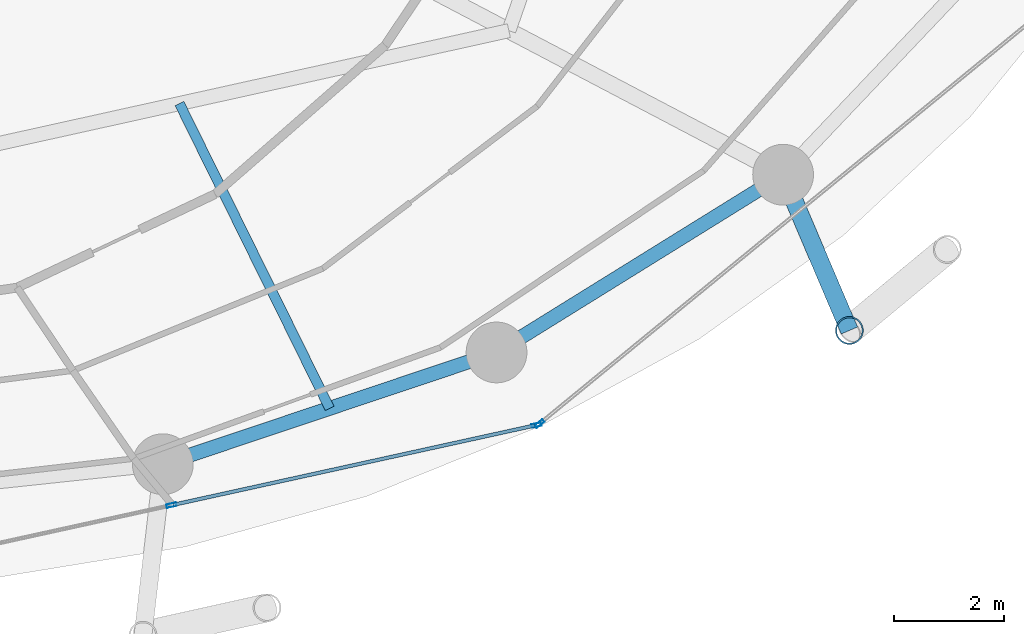
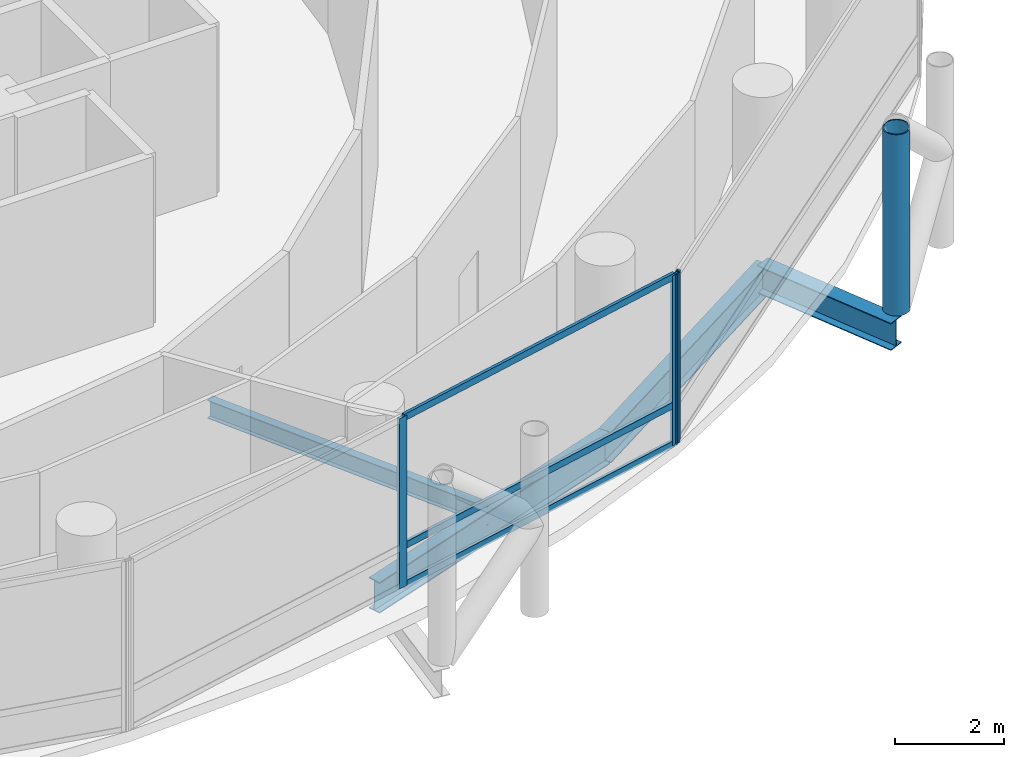
# One storey, part 8 of 26: 7 members, 4 beams, 2 elements without a shape of their own.
"""IFC4 building model written with IfcOpenShell, lengths in metres."""

import ifcopenshell
import ifcopenshell.guid

model = None  # the IFC model being written
_history = None  # IfcOwnerHistory: only IFC2X3 demands one
_inside = {}  # id of a spatial element -> (the spatial element, [elements in it])
_under = {}  # id of a project, library or spatial element -> (it, [spatial elements below it])
_declared = {}  # id of a project -> (the project, [libraries it declares])
_typed = {}  # id of a type object -> (the type object, [elements of that type])
_made_of = {}  # id of a material, layer set ... -> (it, [elements and type objects made of it])


def new_model(schema):
    """Start an empty IFC model of exactly this schema.

    Asked for "IFC4X3", IfcOpenShell would pick the latest addendum, in which some entities
    have other attributes; the version numbers below select the first issue.
    IFC2X3 requires an IfcOwnerHistory on every rooted entity: one is made here for all.
    """
    global model, _history
    if schema == "IFC4X3":
        model = ifcopenshell.file(schema_version=(4, 3, 0, 0))
    else:
        model = ifcopenshell.file(schema=schema)
    _inside.clear()
    _under.clear()
    _declared.clear()
    _typed.clear()
    _made_of.clear()
    _history = None
    if model.schema == "IFC2X3":
        org = make("IfcOrganization", Name="unknown")
        user = make(
            "IfcPersonAndOrganization",
            ThePerson=make("IfcPerson", FamilyName="unknown"),
            TheOrganization=org,
        )
        app = make(
            "IfcApplication",
            ApplicationDeveloper=org,
            Version="unknown",
            ApplicationFullName="unknown",
            ApplicationIdentifier="unknown",
        )
        _history = make(
            "IfcOwnerHistory",
            OwningUser=user,
            OwningApplication=app,
            ChangeAction="ADDED",
            CreationDate=0,
        )
    return model


def make(cls, **values):
    """One entity of the class cls with the attributes given. An attribute that is None is left unset."""
    return model.create_entity(
        cls, **{name: value for name, value in values.items() if value is not None}
    )


def rooted(cls, **values):
    """An entity with a GlobalId (a new one), such as an element, a storey or a relation."""
    return make(cls, GlobalId=ifcopenshell.guid.new(), OwnerHistory=_history, **values)


def si_unit(unit_type, name, prefix=None):
    """IfcSIUnit, for example si_unit("LENGTHUNIT", "METRE", prefix="MILLI")."""
    return make("IfcSIUnit", UnitType=unit_type, Prefix=prefix, Name=name)


def assignment(units):
    """IfcUnitAssignment: the units of a project."""
    return None if units is None else make("IfcUnitAssignment", Units=units)


def point(xyz):
    """IfcCartesianPoint."""
    return None if xyz is None else make("IfcCartesianPoint", Coordinates=xyz)


def direction(xyz):
    """IfcDirection."""
    return None if xyz is None else make("IfcDirection", DirectionRatios=xyz)


def frame(location, z_axis=None, x_axis=None):
    """IfcAxis2Placement3D, a coordinate frame: its origin and axes. An axis left out is left unset."""
    return make(
        "IfcAxis2Placement3D",
        Location=point(location),
        Axis=direction(z_axis),
        RefDirection=direction(x_axis),
    )


def frame_2d(location, x_axis=None):
    """IfcAxis2Placement2D, a coordinate frame in the plane: its origin and x axis."""
    return make(
        "IfcAxis2Placement2D", Location=point(location), RefDirection=direction(x_axis)
    )


def origin():
    """The frame at (0, 0, 0) with its axes left unset."""
    return frame((0.0, 0.0, 0.0))


def origin_2d():
    """The frame at (0, 0) in the plane with its x axis left unset."""
    return frame_2d((0.0, 0.0))


def place(relative_to, where):
    """IfcLocalPlacement: puts the frame where relative to a parent placement (None: the world)."""
    return make(
        "IfcLocalPlacement", PlacementRelTo=relative_to, RelativePlacement=where
    )


def context(
    kind, dimensions, precision=None, world=None, true_north=None, identifier=None
):
    """IfcGeometricRepresentationContext, for example the 3D "Model" context."""
    return make(
        "IfcGeometricRepresentationContext",
        ContextIdentifier=identifier,
        ContextType=kind,
        CoordinateSpaceDimension=dimensions,
        Precision=precision,
        WorldCoordinateSystem=world,
        TrueNorth=true_north,
    )


def subcontext(parent, identifier, kind, view, scale=None):
    """IfcGeometricRepresentationSubContext, for example "Body" below "Model"."""
    return make(
        "IfcGeometricRepresentationSubContext",
        ContextIdentifier=identifier,
        ContextType=kind,
        ParentContext=parent,
        TargetScale=scale,
        TargetView=view,
    )


def project(units=None, contexts=None):
    """IfcProject with its units and contexts."""
    return rooted(
        "IfcProject",
        Name="project",
        RepresentationContexts=contexts,
        UnitsInContext=assignment(units),
    )


def spatial(cls, under=None, at=None, **own):
    """A site, building, storey or space (cls), placed at a placement, below another one or the project."""
    s = rooted(cls, ObjectPlacement=at, **own)
    if under is not None:
        _under.setdefault(under.id(), (under, []))[1].append(s)
    return s


def profile(cls, at=None, kind="AREA", **sizes):
    """A parametric profile (cls). Its sizes go by their IFC names, for example OverallWidth=200.0."""
    return make(cls, ProfileType=kind, Position=at, **sizes)


def hollow_rectangle(**sizes):
    """IfcRectangleHollowProfileDef."""
    return profile("IfcRectangleHollowProfileDef", **sizes)


def hollow_circle(**sizes):
    """IfcCircleHollowProfileDef."""
    return profile("IfcCircleHollowProfileDef", **sizes)


def i_section(**sizes):
    """IfcIShapeProfileDef."""
    return profile("IfcIShapeProfileDef", **sizes)


def extrude(swept, where, along, depth):
    """IfcExtrudedAreaSolid: the profile swept, set in the frame where, extruded along a direction by depth."""
    return make(
        "IfcExtrudedAreaSolid",
        SweptArea=swept,
        Position=where,
        ExtrudedDirection=direction(along),
        Depth=depth,
    )


def shape(context_of_items, identifier, shape_type, items):
    """IfcShapeRepresentation: the items that make up one representation, for example the "Body"."""
    return make(
        "IfcShapeRepresentation",
        ContextOfItems=context_of_items,
        RepresentationIdentifier=identifier,
        RepresentationType=shape_type,
        Items=items,
    )


def material(Name=None, Category=None):
    """IfcMaterial."""
    return make("IfcMaterial", Name=Name, Category=Category)


def layer(
    of_material, thickness, ventilated=None, Name=None, Category=None, Priority=None
):
    """IfcMaterialLayer: one layer of a wall or slab, of a material (None: an air gap)."""
    return make(
        "IfcMaterialLayer",
        Material=of_material,
        LayerThickness=thickness,
        IsVentilated=ventilated,
        Name=Name,
        Category=Category,
        Priority=Priority,
    )


def layer_set(layers, Name=None):
    """IfcMaterialLayerSet."""
    return make("IfcMaterialLayerSet", MaterialLayers=layers, LayerSetName=Name)


def material_profile(
    of_material, cross_section, Name=None, Category=None, Priority=None
):
    """IfcMaterialProfile: a cross section and its material."""
    return make(
        "IfcMaterialProfile",
        Name=Name,
        Material=of_material,
        Profile=cross_section,
        Priority=Priority,
        Category=Category,
    )


def profile_set(profiles, Name=None, composite=None):
    """IfcMaterialProfileSet."""
    return make(
        "IfcMaterialProfileSet",
        Name=Name,
        MaterialProfiles=profiles,
        CompositeProfile=composite,
    )


def made_of(thing, what):
    """Note that an element or type object is made of a material, layer set ...; save() writes the relation."""
    if what is not None:
        _made_of.setdefault(what.id(), (what, []))[1].append(thing)
    return thing


def type_object(cls, material=None, **own):
    """A type object (cls), such as IfcWallType, which elements share."""
    return made_of(rooted(cls, **own), material)


def element(
    cls,
    number,
    at=None,
    inside=None,
    cuts=None,
    type_object=None,
    material=None,
    context=None,
    identifier="Body",
    shape_type=None,
    held_by="IfcProductDefinitionShape",
    body=None,
    shapes=None,
    **own,
):
    """One element of the class cls, such as IfcWall. Its Tag is "e" and its number.

    at: its placement. inside: the storey or other place that contains it. cuts: it is an
    opening in that element (IfcRelVoidsElement). A single representation is given by context,
    identifier, shape_type and body (its items); several are given by shapes. held_by: the class
    of the entity that holds the representations. save() writes the other relations.
    """
    e = rooted(cls, Tag="e%d" % number, ObjectPlacement=at, **own)
    if body is not None:
        shapes = [shape(context, identifier, shape_type, body)]
    if shapes is not None:
        e.Representation = make(held_by, Representations=shapes)
    if inside is not None:
        _inside.setdefault(inside.id(), (inside, []))[1].append(e)
    if cuts is not None:
        rooted(
            "IfcRelVoidsElement", RelatingBuildingElement=cuts, RelatedOpeningElement=e
        )
    if type_object is not None:
        _typed.setdefault(type_object.id(), (type_object, []))[1].append(e)
    return made_of(e, material)


def aggregate(whole, parts):
    """IfcRelAggregates: a whole, such as a stair, and the parts it consists of."""
    return rooted("IfcRelAggregates", RelatingObject=whole, RelatedObjects=parts)


def save(model, path):
    """Write the relations noted so far, then the file.

    IfcRelAggregates (storeys below a building ...), IfcRelContainedInSpatialStructure (elements
    in a storey), IfcRelDefinesByType, IfcRelAssociatesMaterial and IfcRelDeclares: one each for
    every whole, place, type object, material and project.
    """
    for whole, parts in _under.values():
        aggregate(whole, parts)
    for where, things in _inside.values():
        rooted(
            "IfcRelContainedInSpatialStructure",
            RelatedElements=things,
            RelatingStructure=where,
        )
    for kind, things in _typed.values():
        rooted("IfcRelDefinesByType", RelatedObjects=things, RelatingType=kind)
    for what, things in _made_of.values():
        rooted("IfcRelAssociatesMaterial", RelatedObjects=things, RelatingMaterial=what)
    for by, libraries in _declared.values():
        rooted("IfcRelDeclares", RelatingContext=by, RelatedDefinitions=libraries)
    model.write(path)


model = new_model("IFC4")

# Units and contexts
model_context = context("Model", 3, precision=1e-05, world=origin(), true_north=direction((0.0, 1.0)))
body_context = subcontext(model_context, "Body", "Model", "MODEL_VIEW")
ifc_project = project(units=[si_unit("LENGTHUNIT", "METRE"), si_unit("AREAUNIT", "SQUARE_METRE"), si_unit("VOLUMEUNIT", "CUBIC_METRE"), si_unit("PLANEANGLEUNIT", "RADIAN"), si_unit("MASSUNIT", "GRAM", prefix="KILO")], contexts=[model_context])

# Site, building, storey
site_placement = place(None, origin())
site = spatial("IfcSite", under=ifc_project, at=site_placement, CompositionType="ELEMENT")
building_placement = place(site_placement, origin())
building = spatial("IfcBuilding", under=site, at=building_placement, Name="Nuhasar Tower", CompositionType="ELEMENT")
storey_placement = place(building_placement, frame((0.0, 0.0, 93.89990234375)))
storey = spatial("IfcBuildingStorey", under=building, at=storey_placement, Name="L22", CompositionType="ELEMENT", Elevation=93.89990234375)

# Beams
ifc_material_1 = material(Name="Steel S355", Category="steel")
ifc_material_profile_1 = material_profile(ifc_material_1, i_section(OverallWidth=0.177978515625, OverallDepth=0.406005859375, WebThickness=0.0078125, FlangeThickness=0.0126953125, at=origin_2d()), Name="W16X40")
ifc_profile_set_1 = profile_set([ifc_material_profile_1], Name="Steel S355")
beam_type_1 = type_object("IfcBeamType", Name="BM-JST-W16X40", PredefinedType="JOIST", material=ifc_profile_set_1)
beam_1_placement = place(storey_placement, frame((45.783935546875, 13.77001953125, -0.452880859375), z_axis=(0.442126747458, -0.89695258469, 0.0), x_axis=(0.89695258469, 0.442126747458, 0.0)))
element("IfcBeam", 1, at=beam_1_placement, inside=storey, type_object=beam_type_1, Name="L22 Secondary Floor Joist 02", PredefinedType="JOIST", context=body_context, shape_type="SweptSolid", body=[
    extrude(i_section(OverallWidth=0.177978515625, OverallDepth=0.406005859375, WebThickness=0.0078125, FlangeThickness=0.0126953125, at=origin_2d()), origin(), (0.0, 0.0, 1.0), 6.152099609375),
])
ifc_material_profile_2 = material_profile(ifc_material_1, i_section(OverallWidth=0.256103515625, OverallDepth=0.693115234375, WebThickness=0.014404296875, FlangeThickness=0.023681640625, at=origin_2d()), Name="W27X114")
ifc_profile_set_2 = profile_set([ifc_material_profile_2], Name="Steel S355")
beam_type_2 = type_object("IfcBeamType", Name="BM-RING-W27X114", PredefinedType="SPANDREL", material=ifc_profile_set_2)
beam_2_placement = place(storey_placement, frame((45.48291015625, 7.239990234375, -0.596923828125), z_axis=(0.94826097201, 0.317491935271, 0.0), x_axis=(-0.317491935271, 0.94826097201, 0.0)))
element("IfcBeam", 2, at=beam_2_placement, inside=storey, type_object=beam_type_2, Name="L22 Perimeter Ring Spandrel 20", PredefinedType="SPANDREL", context=body_context, shape_type="SweptSolid", body=[
    extrude(i_section(OverallWidth=0.256103515625, OverallDepth=0.693115234375, WebThickness=0.014404296875, FlangeThickness=0.023681640625, at=origin_2d()), origin(), (0.0, 0.0, 1.0), 6.37158203125),
])
beam_3_placement = place(storey_placement, frame((51.52490234375, 9.262939453125, -0.596923828125), z_axis=(0.849795216549, 0.527112976439, 0.0), x_axis=(-0.527112976439, 0.849795216549, 0.0)))
element("IfcBeam", 3, at=beam_3_placement, inside=storey, type_object=beam_type_2, Name="L22 Perimeter Ring Spandrel 21", PredefinedType="SPANDREL", context=body_context, shape_type="SweptSolid", body=[
    extrude(i_section(OverallWidth=0.256103515625, OverallDepth=0.693115234375, WebThickness=0.014404296875, FlangeThickness=0.023681640625, at=origin_2d()), origin(), (0.0, 0.0, 1.0), 6.10498046875),
])
ifc_material_profile_3 = material_profile(ifc_material_1, i_section(OverallWidth=0.323974609375, OverallDepth=0.611083984375, WebThickness=0.0126953125, FlangeThickness=0.01904296875, at=origin_2d()), Name="W24X104")
ifc_profile_set_3 = profile_set([ifc_material_profile_3], Name="Steel S355")
beam_type_3 = type_object("IfcBeamType", Name="BM-TIE-W24X104", PredefinedType="BEAM", material=ifc_profile_set_3)
beam_4_placement = place(storey_placement, frame((56.712890625, 12.48095703125, -0.554931640625), z_axis=(0.391601084021, -0.920135093882, 0.0), x_axis=(0.920135093882, 0.391601084021, 0.0)))
element("IfcBeam", 4, at=beam_4_placement, inside=storey, type_object=beam_type_3, Name="L22 Exoskeleton Node Tie Beam 11", PredefinedType="BEAM", context=body_context, shape_type="SweptSolid", body=[
    extrude(i_section(OverallWidth=0.323974609375, OverallDepth=0.611083984375, WebThickness=0.0126953125, FlangeThickness=0.01904296875, at=origin_2d()), origin(), (0.0, 0.0, 1.0), 3.06494140625),
])

# Curtain wall, members
ifc_material_2 = material(Name="Aluminium 6063-T6", Category="aluminium")
ifc_layer = layer(ifc_material_2, 0.199951171875)
ifc_layer_set = layer_set([ifc_layer], Name="Aluminium 6063-T6")
curtain_wall_type = type_object("IfcCurtainWallType", Name="CW-Z1-OFF", PredefinedType="NOTDEFINED", material=ifc_layer_set)
curtain_wall_1_placement = place(storey_placement, origin())
curtain_wall_1 = element("IfcCurtainWall", 5, at=curtain_wall_1_placement, inside=storey, type_object=curtain_wall_type, Name="L22 Unitised Curtain Wall 10", PredefinedType="NOTDEFINED")
ifc_material_profile_4 = material_profile(ifc_material_2, hollow_rectangle(XDim=0.06494140625, YDim=0.179931640625, WallThickness=0.0048828125, at=origin_2d()), Name="CWM-2")
ifc_profile_set_4 = profile_set([ifc_material_profile_4], Name="Aluminium 6063-T6")
member_type_1 = type_object("IfcMemberType", Name="CW-MUL-S2", PredefinedType="MULLION", material=ifc_profile_set_4)
member_1_placement = place(storey_placement, frame((45.639892578125, 6.49755859375, 0.0), z_axis=(0.0, 0.0, 1.0), x_axis=(-0.214398737637, 0.976746221544, 0.0)))
member_1 = element("IfcMember", 6, at=member_1_placement, type_object=member_type_1, Name="CW-Z1 mullion 2", PredefinedType="MULLION", context=body_context, shape_type="SweptSolid", body=[
    extrude(hollow_rectangle(XDim=0.06494140625, YDim=0.179931640625, WallThickness=0.0048828125, at=origin_2d()), origin(), (0.0, 0.0, 1.0), 3.800048828125),
])
member_2_placement = place(storey_placement, frame((52.248291015625, 7.947998046875, 0.0), z_axis=(0.0, 0.0, 1.0), x_axis=(-0.214398737637, 0.976746221544, 0.0)))
member_2 = element("IfcMember", 7, at=member_2_placement, type_object=member_type_1, Name="CW-Z1 mullion 3", PredefinedType="MULLION", context=body_context, shape_type="SweptSolid", body=[
    extrude(hollow_rectangle(XDim=0.06494140625, YDim=0.179931640625, WallThickness=0.0048828125, at=origin_2d()), origin(), (0.0, 0.0, 1.0), 3.800048828125),
])

# Curtain wall, member
curtain_wall_2_placement = place(storey_placement, origin())
curtain_wall_2 = element("IfcCurtainWall", 8, at=curtain_wall_2_placement, inside=storey, type_object=curtain_wall_type, Name="L22 Unitised Curtain Wall 11", PredefinedType="NOTDEFINED")
member_3_placement = place(storey_placement, frame((52.30517578125, 7.9755859375, 0.0), z_axis=(0.0, 0.0, 1.0), x_axis=(-0.633744593376, 0.773542364946, 0.0)))
member_3 = element("IfcMember", 9, at=member_3_placement, type_object=member_type_1, Name="CW-Z1 mullion 1", PredefinedType="MULLION", context=body_context, shape_type="SweptSolid", body=[
    extrude(hollow_rectangle(XDim=0.06494140625, YDim=0.179931640625, WallThickness=0.0048828125, at=origin_2d()), origin(), (0.0, 0.0, 1.0), 3.800048828125),
])
aggregate(curtain_wall_2, [member_3])

# Member
ifc_material_profile_5 = material_profile(ifc_material_2, hollow_rectangle(XDim=0.06494140625, YDim=0.14990234375, WallThickness=0.00439453125, at=origin_2d()), Name="CWT-2")
ifc_profile_set_5 = profile_set([ifc_material_profile_5], Name="Aluminium 6063-T6")
member_type_2 = type_object("IfcMemberType", Name="CW-TRN-S2", PredefinedType="USERDEFINED", material=ifc_profile_set_5)
member_4_placement = place(storey_placement, frame((45.671630859375, 6.50439453125, 0.03271484375), z_axis=(0.976741923778, 0.214418316228, 0.0), x_axis=(-0.214418316228, 0.976741923778, 0.0)))
member_4 = element("IfcMember", 10, at=member_4_placement, type_object=member_type_2, Name="CW-Z1 transom 2.1", ObjectType="TRANSOM", PredefinedType="USERDEFINED", context=body_context, shape_type="SweptSolid", body=[
    extrude(hollow_rectangle(XDim=0.06494140625, YDim=0.14990234375, WallThickness=0.00439453125, at=origin_2d()), origin(), (0.0, 0.0, 1.0), 6.70068359375),
])

member_5_placement = place(storey_placement, frame((45.671630859375, 6.50439453125, 0.900146484375), z_axis=(0.976741923778, 0.214418316228, 0.0), x_axis=(-0.214418316228, 0.976741923778, 0.0)))
member_5 = element("IfcMember", 11, at=member_5_placement, type_object=member_type_2, Name="CW-Z1 transom 2.2", ObjectType="TRANSOM", PredefinedType="USERDEFINED", context=body_context, shape_type="SweptSolid", body=[
    extrude(hollow_rectangle(XDim=0.06494140625, YDim=0.14990234375, WallThickness=0.00439453125, at=origin_2d()), origin(), (0.0, 0.0, 1.0), 6.70068359375),
])

member_6_placement = place(storey_placement, frame((45.671630859375, 6.50439453125, 3.767578125), z_axis=(0.976741923778, 0.214418316228, 0.0), x_axis=(-0.214418316228, 0.976741923778, 0.0)))
member_6 = element("IfcMember", 12, at=member_6_placement, type_object=member_type_2, Name="CW-Z1 transom 2.3", ObjectType="TRANSOM", PredefinedType="USERDEFINED", context=body_context, shape_type="SweptSolid", body=[
    extrude(hollow_rectangle(XDim=0.06494140625, YDim=0.14990234375, WallThickness=0.00439453125, at=origin_2d()), origin(), (0.0, 0.0, 1.0), 6.70068359375),
])

aggregate(curtain_wall_1, [member_1, member_2, member_4, member_5, member_6])

ifc_material_3 = material(Name="Steel S460", Category="steel")
ifc_material_profile_6 = material_profile(ifc_material_3, hollow_circle(Radius=0.25390625, WallThickness=0.025390625, at=origin_2d()), Name="HSS508X25.4")
ifc_profile_set_6 = profile_set([ifc_material_profile_6], Name="Steel S460")
member_type_3 = type_object("IfcMemberType", Name="EXO-BRONZE-508", PredefinedType="BRACE", material=ifc_profile_set_6)
member_7_placement = place(storey_placement, frame((57.9130859375, 9.660888671875, 0.0), z_axis=(0.0, 0.0, 1.0), x_axis=(1.0, 0.0, 0.0)))
element("IfcMember", 13, at=member_7_placement, inside=storey, type_object=member_type_3, Name="L22 Exoskeleton Chord Column EC-11A", PredefinedType="BRACE", context=body_context, shape_type="SweptSolid", body=[
    extrude(hollow_circle(Radius=0.25390625, WallThickness=0.025390625, at=origin_2d()), origin(), (0.0, 0.0, 1.0), 4.050048828125),
])

save(model, "model.ifc")
